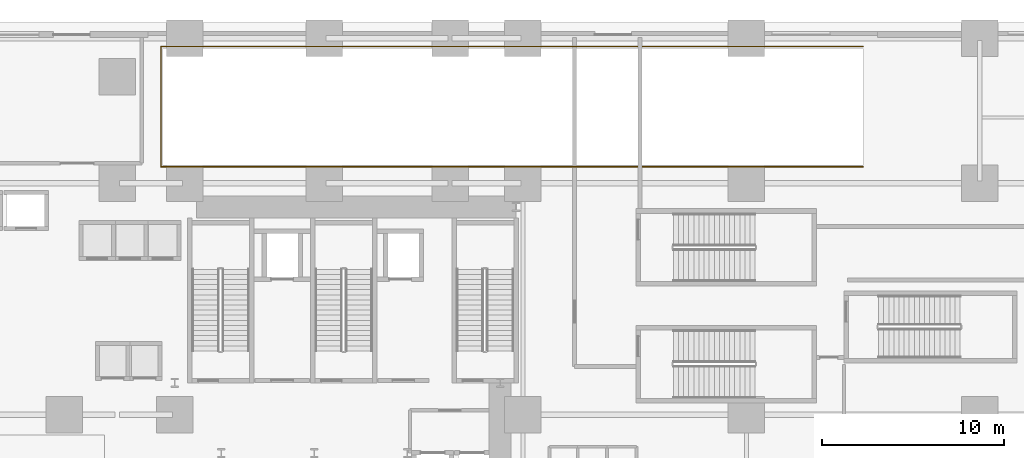
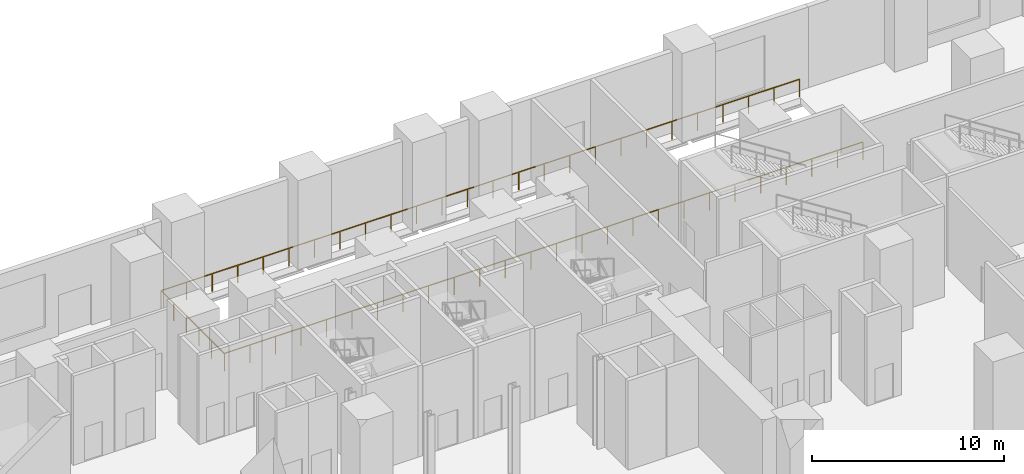
# One storey, part 23 of 25: 1 railing.
"""IFC4 building model written with IfcOpenShell, lengths in metres."""

from ifc_helpers import new_model, si_unit, direction, frame, origin, origin_2d, place, context, subcontext, project, spatial, rectangle, extrude, source, transform, mapped, material, type_object, element, save


model = new_model("IFC4")

# Units and contexts
model_context = context("Model", 3, precision=1e-05, world=origin(), true_north=direction((0.0, 1.0)))
body_context = subcontext(model_context, "Body", "Model", "MODEL_VIEW")
ifc_project = project(units=[si_unit("LENGTHUNIT", "METRE"), si_unit("AREAUNIT", "SQUARE_METRE"), si_unit("VOLUMEUNIT", "CUBIC_METRE"), si_unit("PLANEANGLEUNIT", "RADIAN"), si_unit("MASSUNIT", "GRAM", prefix="KILO")], contexts=[model_context])

# Site, building, storey
site_placement = place(None, origin())
site = spatial("IfcSite", under=ifc_project, at=site_placement, CompositionType="ELEMENT")
building_placement = place(site_placement, origin())
building = spatial("IfcBuilding", under=site, at=building_placement, Name="Vardaveli Station Tower", CompositionType="ELEMENT")
storey_placement = place(building_placement, origin())
storey = spatial("IfcBuildingStorey", under=building, at=storey_placement, Name="L01", CompositionType="ELEMENT", Elevation=0.0)

# Railing
ifc_material = material(Name="Brushed AISI 316 stainless steel", Category="steel")
railing_type = type_object("IfcRailingType", Name="RL-GUARD-1150", PredefinedType="GUARDRAIL", material=ifc_material)
shared_shape = source(origin(), body_context, "Body", "SweptSolid", [
    extrude(rectangle(XDim=0.048095703125, YDim=0.048095703125, at=origin_2d()), frame((0.0, 0.0, 1.1259765625), z_axis=(-1.0, 0.0, 0.0), x_axis=(0.0, -1.0, 0.0)), (0.0, 0.0, 1.0), 38.5),
    extrude(rectangle(XDim=0.048095703125, YDim=0.048095703125, at=origin_2d()), frame((-38.5, 0.0, 1.1259765625), z_axis=(0.0, 1.0, 0.0), x_axis=(-1.0, 0.0, 0.0)), (0.0, 0.0, 1.0), 6.60009765625),
    extrude(rectangle(XDim=0.048095703125, YDim=0.048095703125, at=origin_2d()), frame((-38.5, 6.60009765625, 1.1259765625), z_axis=(1.0, 0.0, 0.0), x_axis=(0.0, 1.0, 0.0)), (0.0, 0.0, 1.0), 38.5),
    extrude(rectangle(XDim=0.0419921875, YDim=0.0419921875, at=origin_2d()), origin(), (0.0, 0.0, 1.0), 1.101806640625),
    extrude(rectangle(XDim=0.0419921875, YDim=0.0419921875, at=origin_2d()), frame((-1.5400390625, 0.0, 0.0)), (0.0, 0.0, 1.0), 1.101806640625),
    extrude(rectangle(XDim=0.0419921875, YDim=0.0419921875, at=origin_2d()), frame((-3.080078125, 0.0, 0.0)), (0.0, 0.0, 1.0), 1.101806640625),
    extrude(rectangle(XDim=0.0419921875, YDim=0.0419921875, at=origin_2d()), frame((-4.6201171875, 0.0, 0.0)), (0.0, 0.0, 1.0), 1.101806640625),
    extrude(rectangle(XDim=0.0419921875, YDim=0.0419921875, at=origin_2d()), frame((-6.159912109375, 0.0, 0.0)), (0.0, 0.0, 1.0), 1.101806640625),
    extrude(rectangle(XDim=0.0419921875, YDim=0.0419921875, at=origin_2d()), frame((-7.699951171875, 0.0, 0.0)), (0.0, 0.0, 1.0), 1.101806640625),
    extrude(rectangle(XDim=0.0419921875, YDim=0.0419921875, at=origin_2d()), frame((-9.239990234375, 0.0, 0.0)), (0.0, 0.0, 1.0), 1.101806640625),
    extrude(rectangle(XDim=0.0419921875, YDim=0.0419921875, at=origin_2d()), frame((-10.780029296875, 0.0, 0.0)), (0.0, 0.0, 1.0), 1.101806640625),
    extrude(rectangle(XDim=0.0419921875, YDim=0.0419921875, at=origin_2d()), frame((-12.320068359375, 0.0, 0.0)), (0.0, 0.0, 1.0), 1.101806640625),
    extrude(rectangle(XDim=0.0419921875, YDim=0.0419921875, at=origin_2d()), frame((-13.860107421875, 0.0, 0.0)), (0.0, 0.0, 1.0), 1.101806640625),
    extrude(rectangle(XDim=0.0419921875, YDim=0.0419921875, at=origin_2d()), frame((-15.39990234375, 0.0, 0.0)), (0.0, 0.0, 1.0), 1.101806640625),
    extrude(rectangle(XDim=0.0419921875, YDim=0.0419921875, at=origin_2d()), frame((-16.93994140625, 0.0, 0.0)), (0.0, 0.0, 1.0), 1.101806640625),
    extrude(rectangle(XDim=0.0419921875, YDim=0.0419921875, at=origin_2d()), frame((-18.47998046875, 0.0, 0.0)), (0.0, 0.0, 1.0), 1.101806640625),
    extrude(rectangle(XDim=0.0419921875, YDim=0.0419921875, at=origin_2d()), frame((-20.02001953125, 0.0, 0.0)), (0.0, 0.0, 1.0), 1.101806640625),
    extrude(rectangle(XDim=0.0419921875, YDim=0.0419921875, at=origin_2d()), frame((-21.56005859375, 0.0, 0.0)), (0.0, 0.0, 1.0), 1.101806640625),
    extrude(rectangle(XDim=0.0419921875, YDim=0.0419921875, at=origin_2d()), frame((-23.10009765625, 0.0, 0.0)), (0.0, 0.0, 1.0), 1.101806640625),
    extrude(rectangle(XDim=0.0419921875, YDim=0.0419921875, at=origin_2d()), frame((-24.639892578125, 0.0, 0.0)), (0.0, 0.0, 1.0), 1.101806640625),
    extrude(rectangle(XDim=0.0419921875, YDim=0.0419921875, at=origin_2d()), frame((-26.179931640625, 0.0, 0.0)), (0.0, 0.0, 1.0), 1.101806640625),
    extrude(rectangle(XDim=0.0419921875, YDim=0.0419921875, at=origin_2d()), frame((-27.719970703125, 0.0, 0.0)), (0.0, 0.0, 1.0), 1.101806640625),
    extrude(rectangle(XDim=0.0419921875, YDim=0.0419921875, at=origin_2d()), frame((-29.260009765625, 0.0, 0.0)), (0.0, 0.0, 1.0), 1.101806640625),
    extrude(rectangle(XDim=0.0419921875, YDim=0.0419921875, at=origin_2d()), frame((-30.800048828125, 0.0, 0.0)), (0.0, 0.0, 1.0), 1.101806640625),
    extrude(rectangle(XDim=0.0419921875, YDim=0.0419921875, at=origin_2d()), frame((-32.340087890625, 0.0, 0.0)), (0.0, 0.0, 1.0), 1.101806640625),
    extrude(rectangle(XDim=0.0419921875, YDim=0.0419921875, at=origin_2d()), frame((-33.8798828125, 0.0, 0.0)), (0.0, 0.0, 1.0), 1.101806640625),
    extrude(rectangle(XDim=0.0419921875, YDim=0.0419921875, at=origin_2d()), frame((-35.419921875, 0.0, 0.0)), (0.0, 0.0, 1.0), 1.101806640625),
    extrude(rectangle(XDim=0.0419921875, YDim=0.0419921875, at=origin_2d()), frame((-36.9599609375, 0.0, 0.0)), (0.0, 0.0, 1.0), 1.101806640625),
    extrude(rectangle(XDim=0.0419921875, YDim=0.0419921875, at=origin_2d()), frame((-38.5, 0.0, 0.0)), (0.0, 0.0, 1.0), 1.101806640625),
    extrude(rectangle(XDim=0.0419921875, YDim=0.0419921875, at=origin_2d()), frame((-38.5, 1.320068359375, 0.0)), (0.0, 0.0, 1.0), 1.101806640625),
    extrude(rectangle(XDim=0.0419921875, YDim=0.0419921875, at=origin_2d()), frame((-38.5, 2.64013671875, 0.0)), (0.0, 0.0, 1.0), 1.101806640625),
    extrude(rectangle(XDim=0.0419921875, YDim=0.0419921875, at=origin_2d()), frame((-38.5, 3.9599609375, 0.0)), (0.0, 0.0, 1.0), 1.101806640625),
    extrude(rectangle(XDim=0.0419921875, YDim=0.0419921875, at=origin_2d()), frame((-38.5, 5.280029296875, 0.0)), (0.0, 0.0, 1.0), 1.101806640625),
    extrude(rectangle(XDim=0.0419921875, YDim=0.0419921875, at=origin_2d()), frame((-38.5, 6.60009765625, 0.0)), (0.0, 0.0, 1.0), 1.101806640625),
    extrude(rectangle(XDim=0.0419921875, YDim=0.0419921875, at=origin_2d()), frame((-36.9599609375, 6.60009765625, 0.0)), (0.0, 0.0, 1.0), 1.101806640625),
    extrude(rectangle(XDim=0.0419921875, YDim=0.0419921875, at=origin_2d()), frame((-35.419921875, 6.60009765625, 0.0)), (0.0, 0.0, 1.0), 1.101806640625),
    extrude(rectangle(XDim=0.0419921875, YDim=0.0419921875, at=origin_2d()), frame((-33.8798828125, 6.60009765625, 0.0)), (0.0, 0.0, 1.0), 1.101806640625),
    extrude(rectangle(XDim=0.0419921875, YDim=0.0419921875, at=origin_2d()), frame((-32.340087890625, 6.60009765625, 0.0)), (0.0, 0.0, 1.0), 1.101806640625),
    extrude(rectangle(XDim=0.0419921875, YDim=0.0419921875, at=origin_2d()), frame((-30.800048828125, 6.60009765625, 0.0)), (0.0, 0.0, 1.0), 1.101806640625),
    extrude(rectangle(XDim=0.0419921875, YDim=0.0419921875, at=origin_2d()), frame((-29.260009765625, 6.60009765625, 0.0)), (0.0, 0.0, 1.0), 1.101806640625),
    extrude(rectangle(XDim=0.0419921875, YDim=0.0419921875, at=origin_2d()), frame((-27.719970703125, 6.60009765625, 0.0)), (0.0, 0.0, 1.0), 1.101806640625),
    extrude(rectangle(XDim=0.0419921875, YDim=0.0419921875, at=origin_2d()), frame((-26.179931640625, 6.60009765625, 0.0)), (0.0, 0.0, 1.0), 1.101806640625),
    extrude(rectangle(XDim=0.0419921875, YDim=0.0419921875, at=origin_2d()), frame((-24.639892578125, 6.60009765625, 0.0)), (0.0, 0.0, 1.0), 1.101806640625),
    extrude(rectangle(XDim=0.0419921875, YDim=0.0419921875, at=origin_2d()), frame((-23.10009765625, 6.60009765625, 0.0)), (0.0, 0.0, 1.0), 1.101806640625),
    extrude(rectangle(XDim=0.0419921875, YDim=0.0419921875, at=origin_2d()), frame((-21.56005859375, 6.60009765625, 0.0)), (0.0, 0.0, 1.0), 1.101806640625),
    extrude(rectangle(XDim=0.0419921875, YDim=0.0419921875, at=origin_2d()), frame((-20.02001953125, 6.60009765625, 0.0)), (0.0, 0.0, 1.0), 1.101806640625),
    extrude(rectangle(XDim=0.0419921875, YDim=0.0419921875, at=origin_2d()), frame((-18.47998046875, 6.60009765625, 0.0)), (0.0, 0.0, 1.0), 1.101806640625),
    extrude(rectangle(XDim=0.0419921875, YDim=0.0419921875, at=origin_2d()), frame((-16.93994140625, 6.60009765625, 0.0)), (0.0, 0.0, 1.0), 1.101806640625),
    extrude(rectangle(XDim=0.0419921875, YDim=0.0419921875, at=origin_2d()), frame((-15.39990234375, 6.60009765625, 0.0)), (0.0, 0.0, 1.0), 1.101806640625),
    extrude(rectangle(XDim=0.0419921875, YDim=0.0419921875, at=origin_2d()), frame((-13.860107421875, 6.60009765625, 0.0)), (0.0, 0.0, 1.0), 1.101806640625),
    extrude(rectangle(XDim=0.0419921875, YDim=0.0419921875, at=origin_2d()), frame((-12.320068359375, 6.60009765625, 0.0)), (0.0, 0.0, 1.0), 1.101806640625),
    extrude(rectangle(XDim=0.0419921875, YDim=0.0419921875, at=origin_2d()), frame((-10.780029296875, 6.60009765625, 0.0)), (0.0, 0.0, 1.0), 1.101806640625),
    extrude(rectangle(XDim=0.0419921875, YDim=0.0419921875, at=origin_2d()), frame((-9.239990234375, 6.60009765625, 0.0)), (0.0, 0.0, 1.0), 1.101806640625),
    extrude(rectangle(XDim=0.0419921875, YDim=0.0419921875, at=origin_2d()), frame((-7.699951171875, 6.60009765625, 0.0)), (0.0, 0.0, 1.0), 1.101806640625),
    extrude(rectangle(XDim=0.0419921875, YDim=0.0419921875, at=origin_2d()), frame((-6.159912109375, 6.60009765625, 0.0)), (0.0, 0.0, 1.0), 1.101806640625),
    extrude(rectangle(XDim=0.0419921875, YDim=0.0419921875, at=origin_2d()), frame((-4.6201171875, 6.60009765625, 0.0)), (0.0, 0.0, 1.0), 1.101806640625),
    extrude(rectangle(XDim=0.0419921875, YDim=0.0419921875, at=origin_2d()), frame((-3.080078125, 6.60009765625, 0.0)), (0.0, 0.0, 1.0), 1.101806640625),
    extrude(rectangle(XDim=0.0419921875, YDim=0.0419921875, at=origin_2d()), frame((-1.5400390625, 6.60009765625, 0.0)), (0.0, 0.0, 1.0), 1.101806640625),
    extrude(rectangle(XDim=0.0419921875, YDim=0.0419921875, at=origin_2d()), frame((0.0, 6.60009765625, 0.0)), (0.0, 0.0, 1.0), 1.101806640625),
])
railing_placement = place(storey_placement, frame((66.39990234375, 42.5, 0.0)))
element("IfcRailing", 1, at=railing_placement, inside=storey, type_object=railing_type, Name="RL-L01-VR01", PredefinedType="GUARDRAIL", context=body_context, shape_type="MappedRepresentation", body=[
    mapped(shared_shape, transform((0.0, 0.0, 0.0), scale=1.0)),
])

save(model, "model.ifc")
